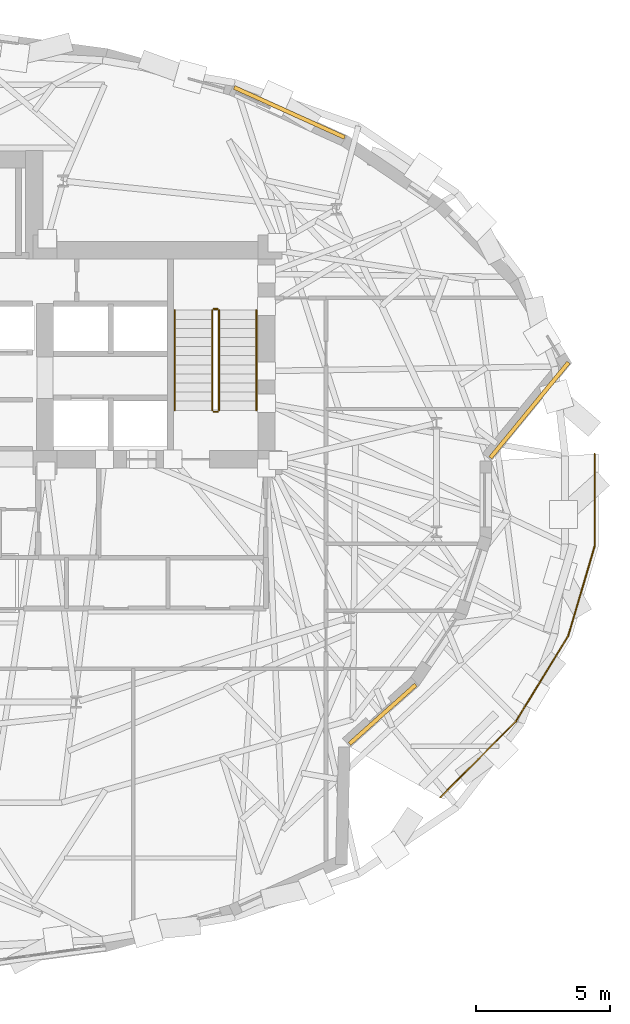
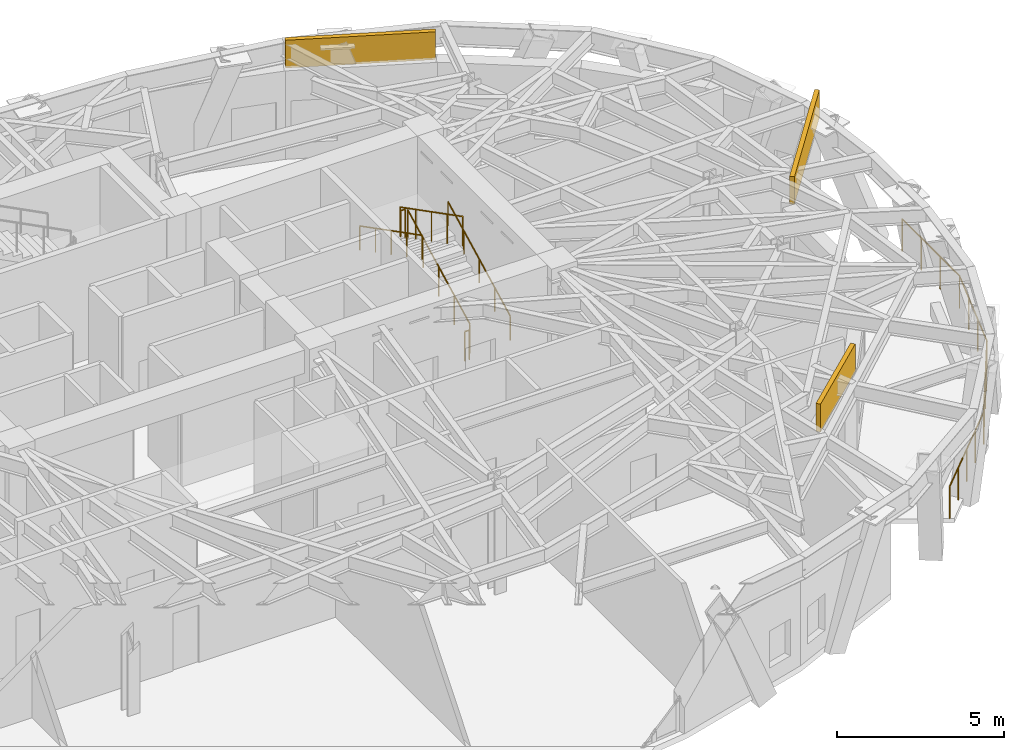
# One storey, part 15 of 16: 7 railings, 3 coverings.
"""IFC4 building model written with IfcOpenShell, lengths in metres."""

import ifcopenshell
import ifcopenshell.guid

model = None  # the IFC model being written
_history = None  # IfcOwnerHistory: only IFC2X3 demands one
_inside = {}  # id of a spatial element -> (the spatial element, [elements in it])
_under = {}  # id of a project, library or spatial element -> (it, [spatial elements below it])
_declared = {}  # id of a project -> (the project, [libraries it declares])
_typed = {}  # id of a type object -> (the type object, [elements of that type])
_made_of = {}  # id of a material, layer set ... -> (it, [elements and type objects made of it])


def new_model(schema):
    """Start an empty IFC model of exactly this schema.

    Asked for "IFC4X3", IfcOpenShell would pick the latest addendum, in which some entities
    have other attributes; the version numbers below select the first issue.
    IFC2X3 requires an IfcOwnerHistory on every rooted entity: one is made here for all.
    """
    global model, _history
    if schema == "IFC4X3":
        model = ifcopenshell.file(schema_version=(4, 3, 0, 0))
    else:
        model = ifcopenshell.file(schema=schema)
    _inside.clear()
    _under.clear()
    _declared.clear()
    _typed.clear()
    _made_of.clear()
    _history = None
    if model.schema == "IFC2X3":
        org = make("IfcOrganization", Name="unknown")
        user = make(
            "IfcPersonAndOrganization",
            ThePerson=make("IfcPerson", FamilyName="unknown"),
            TheOrganization=org,
        )
        app = make(
            "IfcApplication",
            ApplicationDeveloper=org,
            Version="unknown",
            ApplicationFullName="unknown",
            ApplicationIdentifier="unknown",
        )
        _history = make(
            "IfcOwnerHistory",
            OwningUser=user,
            OwningApplication=app,
            ChangeAction="ADDED",
            CreationDate=0,
        )
    return model


def make(cls, **values):
    """One entity of the class cls with the attributes given. An attribute that is None is left unset."""
    return model.create_entity(
        cls, **{name: value for name, value in values.items() if value is not None}
    )


def rooted(cls, **values):
    """An entity with a GlobalId (a new one), such as an element, a storey or a relation."""
    return make(cls, GlobalId=ifcopenshell.guid.new(), OwnerHistory=_history, **values)


def si_unit(unit_type, name, prefix=None):
    """IfcSIUnit, for example si_unit("LENGTHUNIT", "METRE", prefix="MILLI")."""
    return make("IfcSIUnit", UnitType=unit_type, Prefix=prefix, Name=name)


def assignment(units):
    """IfcUnitAssignment: the units of a project."""
    return None if units is None else make("IfcUnitAssignment", Units=units)


def point(xyz):
    """IfcCartesianPoint."""
    return None if xyz is None else make("IfcCartesianPoint", Coordinates=xyz)


def direction(xyz):
    """IfcDirection."""
    return None if xyz is None else make("IfcDirection", DirectionRatios=xyz)


def frame(location, z_axis=None, x_axis=None):
    """IfcAxis2Placement3D, a coordinate frame: its origin and axes. An axis left out is left unset."""
    return make(
        "IfcAxis2Placement3D",
        Location=point(location),
        Axis=direction(z_axis),
        RefDirection=direction(x_axis),
    )


def frame_2d(location, x_axis=None):
    """IfcAxis2Placement2D, a coordinate frame in the plane: its origin and x axis."""
    return make(
        "IfcAxis2Placement2D", Location=point(location), RefDirection=direction(x_axis)
    )


def origin():
    """The frame at (0, 0, 0) with its axes left unset."""
    return frame((0.0, 0.0, 0.0))


def origin_2d():
    """The frame at (0, 0) in the plane with its x axis left unset."""
    return frame_2d((0.0, 0.0))


def place(relative_to, where):
    """IfcLocalPlacement: puts the frame where relative to a parent placement (None: the world)."""
    return make(
        "IfcLocalPlacement", PlacementRelTo=relative_to, RelativePlacement=where
    )


def context(
    kind, dimensions, precision=None, world=None, true_north=None, identifier=None
):
    """IfcGeometricRepresentationContext, for example the 3D "Model" context."""
    return make(
        "IfcGeometricRepresentationContext",
        ContextIdentifier=identifier,
        ContextType=kind,
        CoordinateSpaceDimension=dimensions,
        Precision=precision,
        WorldCoordinateSystem=world,
        TrueNorth=true_north,
    )


def subcontext(parent, identifier, kind, view, scale=None):
    """IfcGeometricRepresentationSubContext, for example "Body" below "Model"."""
    return make(
        "IfcGeometricRepresentationSubContext",
        ContextIdentifier=identifier,
        ContextType=kind,
        ParentContext=parent,
        TargetScale=scale,
        TargetView=view,
    )


def project(units=None, contexts=None):
    """IfcProject with its units and contexts."""
    return rooted(
        "IfcProject",
        Name="project",
        RepresentationContexts=contexts,
        UnitsInContext=assignment(units),
    )


def spatial(cls, under=None, at=None, **own):
    """A site, building, storey or space (cls), placed at a placement, below another one or the project."""
    s = rooted(cls, ObjectPlacement=at, **own)
    if under is not None:
        _under.setdefault(under.id(), (under, []))[1].append(s)
    return s


def profile(cls, at=None, kind="AREA", **sizes):
    """A parametric profile (cls). Its sizes go by their IFC names, for example OverallWidth=200.0."""
    return make(cls, ProfileType=kind, Position=at, **sizes)


def rectangle(**sizes):
    """IfcRectangleProfileDef."""
    return profile("IfcRectangleProfileDef", **sizes)


def circle(**sizes):
    """IfcCircleProfileDef."""
    return profile("IfcCircleProfileDef", **sizes)


def extrude(swept, where, along, depth):
    """IfcExtrudedAreaSolid: the profile swept, set in the frame where, extruded along a direction by depth."""
    return make(
        "IfcExtrudedAreaSolid",
        SweptArea=swept,
        Position=where,
        ExtrudedDirection=direction(along),
        Depth=depth,
    )


def shape(context_of_items, identifier, shape_type, items):
    """IfcShapeRepresentation: the items that make up one representation, for example the "Body"."""
    return make(
        "IfcShapeRepresentation",
        ContextOfItems=context_of_items,
        RepresentationIdentifier=identifier,
        RepresentationType=shape_type,
        Items=items,
    )


def material(Name=None, Category=None):
    """IfcMaterial."""
    return make("IfcMaterial", Name=Name, Category=Category)


def layer(
    of_material, thickness, ventilated=None, Name=None, Category=None, Priority=None
):
    """IfcMaterialLayer: one layer of a wall or slab, of a material (None: an air gap)."""
    return make(
        "IfcMaterialLayer",
        Material=of_material,
        LayerThickness=thickness,
        IsVentilated=ventilated,
        Name=Name,
        Category=Category,
        Priority=Priority,
    )


def layer_set(layers, Name=None):
    """IfcMaterialLayerSet."""
    return make("IfcMaterialLayerSet", MaterialLayers=layers, LayerSetName=Name)


def made_of(thing, what):
    """Note that an element or type object is made of a material, layer set ...; save() writes the relation."""
    if what is not None:
        _made_of.setdefault(what.id(), (what, []))[1].append(thing)
    return thing


def type_object(cls, material=None, **own):
    """A type object (cls), such as IfcWallType, which elements share."""
    return made_of(rooted(cls, **own), material)


def element(
    cls,
    number,
    at=None,
    inside=None,
    cuts=None,
    type_object=None,
    material=None,
    context=None,
    identifier="Body",
    shape_type=None,
    held_by="IfcProductDefinitionShape",
    body=None,
    shapes=None,
    **own,
):
    """One element of the class cls, such as IfcWall. Its Tag is "e" and its number.

    at: its placement. inside: the storey or other place that contains it. cuts: it is an
    opening in that element (IfcRelVoidsElement). A single representation is given by context,
    identifier, shape_type and body (its items); several are given by shapes. held_by: the class
    of the entity that holds the representations. save() writes the other relations.
    """
    e = rooted(cls, Tag="e%d" % number, ObjectPlacement=at, **own)
    if body is not None:
        shapes = [shape(context, identifier, shape_type, body)]
    if shapes is not None:
        e.Representation = make(held_by, Representations=shapes)
    if inside is not None:
        _inside.setdefault(inside.id(), (inside, []))[1].append(e)
    if cuts is not None:
        rooted(
            "IfcRelVoidsElement", RelatingBuildingElement=cuts, RelatedOpeningElement=e
        )
    if type_object is not None:
        _typed.setdefault(type_object.id(), (type_object, []))[1].append(e)
    return made_of(e, material)


def aggregate(whole, parts):
    """IfcRelAggregates: a whole, such as a stair, and the parts it consists of."""
    return rooted("IfcRelAggregates", RelatingObject=whole, RelatedObjects=parts)


def save(model, path):
    """Write the relations noted so far, then the file.

    IfcRelAggregates (storeys below a building ...), IfcRelContainedInSpatialStructure (elements
    in a storey), IfcRelDefinesByType, IfcRelAssociatesMaterial and IfcRelDeclares: one each for
    every whole, place, type object, material and project.
    """
    for whole, parts in _under.values():
        aggregate(whole, parts)
    for where, things in _inside.values():
        rooted(
            "IfcRelContainedInSpatialStructure",
            RelatedElements=things,
            RelatingStructure=where,
        )
    for kind, things in _typed.values():
        rooted("IfcRelDefinesByType", RelatedObjects=things, RelatingType=kind)
    for what, things in _made_of.values():
        rooted("IfcRelAssociatesMaterial", RelatedObjects=things, RelatingMaterial=what)
    for by, libraries in _declared.values():
        rooted("IfcRelDeclares", RelatingContext=by, RelatedDefinitions=libraries)
    model.write(path)


model = new_model("IFC4")

# Units and contexts
model_context = context("Model", 3, precision=1e-05, world=origin(), true_north=direction((0.0, 1.0)))
body_context = subcontext(model_context, "Body", "Model", "MODEL_VIEW")
ifc_project = project(units=[si_unit("LENGTHUNIT", "METRE"), si_unit("AREAUNIT", "SQUARE_METRE"), si_unit("VOLUMEUNIT", "CUBIC_METRE"), si_unit("PLANEANGLEUNIT", "RADIAN"), si_unit("MASSUNIT", "GRAM", prefix="KILO")], contexts=[model_context])

# Site, building, storey
site_placement = place(None, origin())
site = spatial("IfcSite", under=ifc_project, at=site_placement, CompositionType="ELEMENT")
building_placement = place(site_placement, origin())
building = spatial("IfcBuilding", under=site, at=building_placement, Name="Keldmark Tower", CompositionType="ELEMENT")
storey_placement = place(building_placement, frame((0.0, 0.0, 139.60009765625)))
storey = spatial("IfcBuildingStorey", under=building, at=storey_placement, Name="L37", CompositionType="ELEMENT", Elevation=139.60009765625)

# Railing
ifc_material_1 = material(Name="DuPont SentryGlas Laminated Glass and Stainless Posts", Category="glass")
railing_type_1 = type_object("IfcRailingType", Name="Heated Laminated Glass Wind-Baffle Guard 1200 mm", PredefinedType="GUARDRAIL", material=ifc_material_1)
railing_1_placement = place(storey_placement, frame((19.975830078125, -11.110107421875, 0.0)))
element("IfcRailing", 1, at=railing_1_placement, inside=storey, type_object=railing_type_1, Name="L37 Terrace Laminated Glass Wind-Baffle Guard TERR 01", PredefinedType="GUARDRAIL", context=body_context, shape_type="SweptSolid", body=[
    extrude(circle(Radius=0.02392578125, at=origin_2d()), frame((0.0, 0.0, 1.17578125), z_axis=(0.703446565681, 0.71074814754, 0.0), x_axis=(-0.71074814754, 0.703446565681, 0.0)), (0.0, 0.0, 1.0), 4.012451171875),
    extrude(circle(Radius=0.02392578125, at=origin_2d()), frame((2.822509765625, 2.851806640625, 1.17578125), z_axis=(0.522789771372, 0.852461644269, 0.0), x_axis=(-0.852461644269, 0.522789771372, 0.0)), (0.0, 0.0, 1.0), 3.720458984375),
    extrude(circle(Radius=0.02392578125, at=origin_2d()), frame((4.767578125, 6.0234375, 1.17578125), z_axis=(0.282388380448, 0.959300162925, 0.0), x_axis=(-0.959300162925, 0.282388380448, 0.0)), (0.0, 0.0, 1.0), 3.51171875),
    extrude(circle(Radius=0.02392578125, at=origin_2d()), frame((5.75927734375, 9.392333984375, 1.17578125), z_axis=(0.0, 1.0, 0.0), x_axis=(-1.0, 0.0, 0.0)), (0.0, 0.0, 1.0), 3.435546875),
    extrude(circle(Radius=0.02099609375, at=origin_2d()), origin(), (0.0, 0.0, 1.0), 1.15185546875),
    extrude(circle(Radius=0.02099609375, at=origin_2d()), frame((0.70556640625, 0.712890625, 0.0)), (0.0, 0.0, 1.0), 1.15185546875),
    extrude(circle(Radius=0.02099609375, at=origin_2d()), frame((1.4111328125, 1.42578125, 0.0)), (0.0, 0.0, 1.0), 1.15185546875),
    extrude(circle(Radius=0.02099609375, at=origin_2d()), frame((2.116943359375, 2.138916015625, 0.0)), (0.0, 0.0, 1.0), 1.15185546875),
    extrude(circle(Radius=0.02099609375, at=origin_2d()), frame((2.822509765625, 2.851806640625, 0.0)), (0.0, 0.0, 1.0), 1.15185546875),
    extrude(circle(Radius=0.02099609375, at=origin_2d()), frame((3.308837890625, 3.644775390625, 0.0)), (0.0, 0.0, 1.0), 1.15185546875),
    extrude(circle(Radius=0.02099609375, at=origin_2d()), frame((3.794921875, 4.4375, 0.0)), (0.0, 0.0, 1.0), 1.15185546875),
    extrude(circle(Radius=0.02099609375, at=origin_2d()), frame((4.28125, 5.23046875, 0.0)), (0.0, 0.0, 1.0), 1.15185546875),
    extrude(circle(Radius=0.02099609375, at=origin_2d()), frame((4.767578125, 6.0234375, 0.0)), (0.0, 0.0, 1.0), 1.15185546875),
    extrude(circle(Radius=0.02099609375, at=origin_2d()), frame((5.09814453125, 7.146484375, 0.0)), (0.0, 0.0, 1.0), 1.15185546875),
    extrude(circle(Radius=0.02099609375, at=origin_2d()), frame((5.4287109375, 8.269287109375, 0.0)), (0.0, 0.0, 1.0), 1.15185546875),
    extrude(circle(Radius=0.02099609375, at=origin_2d()), frame((5.75927734375, 9.392333984375, 0.0)), (0.0, 0.0, 1.0), 1.15185546875),
    extrude(circle(Radius=0.02099609375, at=origin_2d()), frame((5.75927734375, 10.53759765625, 0.0)), (0.0, 0.0, 1.0), 1.15185546875),
    extrude(circle(Radius=0.02099609375, at=origin_2d()), frame((5.75927734375, 11.6826171875, 0.0)), (0.0, 0.0, 1.0), 1.15185546875),
    extrude(circle(Radius=0.02099609375, at=origin_2d()), frame((5.75927734375, 12.827880859375, 0.0)), (0.0, 0.0, 1.0), 1.15185546875),
])

# Coverings
ifc_material_2 = material(Name="Honed Kasota Buff Dolomitic Limestone", Category="masonry")
ifc_layer = layer(ifc_material_2, 0.074951171875)
ifc_layer_set = layer_set([ifc_layer], Name="Honed Kasota Buff Dolomitic Limestone")
covering_type = type_object("IfcCoveringType", Name="Kasota Buff Limestone Spandrel Cladding Band", PredefinedType="CLADDING", material=ifc_layer_set)
covering_1_placement = place(storey_placement, frame((23.297119140625, 3.357421875, 3.161865234375), z_axis=(0.0, 0.0, 1.0), x_axis=(0.634123413968, 0.773231851295, 0.0)))
element("IfcCovering", 2, at=covering_1_placement, inside=storey, type_object=covering_type, Name="L37 Kasota Limestone Spandrel Band 01", PredefinedType="CLADDING", context=body_context, shape_type="SweptSolid", body=[
    extrude(rectangle(XDim=4.605712890625, YDim=0.14990234375, at=origin_2d()), origin(), (0.0, 0.0, 1.0), 1.01806640625),
])
covering_2_placement = place(storey_placement, frame((14.329833984375, 14.479736328125, 3.161865234375), z_axis=(0.0, 0.0, 1.0), x_axis=(-0.910950242101, 0.412516249881, 0.0)))
element("IfcCovering", 3, at=covering_2_placement, inside=storey, type_object=covering_type, Name="L37 Kasota Limestone Spandrel Band 05", PredefinedType="CLADDING", context=body_context, shape_type="SweptSolid", body=[
    extrude(rectangle(XDim=4.5322265625, YDim=0.14990234375, at=origin_2d()), origin(), (0.0, 0.0, 1.0), 1.01806640625),
])
covering_3_placement = place(storey_placement, frame((17.8125, -8.006591796875, 3.161865234375), z_axis=(0.0, 0.0, 1.0), x_axis=(0.746138722286, 0.665790512928, 0.0)))
element("IfcCovering", 4, at=covering_3_placement, inside=storey, type_object=covering_type, Name="L37 Kasota Limestone Spandrel Band 29", PredefinedType="CLADDING", context=body_context, shape_type="SweptSolid", body=[
    extrude(rectangle(XDim=3.319580078125, YDim=0.14990234375, at=origin_2d()), origin(), (0.0, 0.0, 1.0), 1.01806640625),
])

# Railings
ifc_material_3 = material(Name="Painted Steel ASTM A500 Grade B", Category="steel")
railing_type_2 = type_object("IfcRailingType", Name="Painted Steel Stair Well Guard 1100 mm", PredefinedType="GUARDRAIL", material=ifc_material_3)
railing_2_placement = place(storey_placement, frame((11.699951171875, 3.35009765625, 0.1748046875)))
element("IfcRailing", 5, at=railing_2_placement, inside=storey, type_object=railing_type_2, Name="L37 ST2 stair guard 1", PredefinedType="GUARDRAIL", context=body_context, shape_type="SweptSolid", body=[
    extrude(circle(Radius=0.02392578125, at=origin_2d()), frame((0.0, 0.0, 1.076171875), z_axis=(0.0, 0.889130600629, 0.457653553493), x_axis=(-1.0, 0.0, 0.0)), (0.0, 0.0, 1.0), 4.206298828125),
    extrude(circle(Radius=0.02099609375, at=origin_2d()), origin(), (0.0, 0.0, 1.0), 1.052001953125),
    extrude(circle(Radius=0.02099609375, at=origin_2d()), frame((0.0, 0.93505859375, 0.481201171875)), (0.0, 0.0, 1.0), 1.052001953125),
    extrude(circle(Radius=0.02099609375, at=origin_2d()), frame((0.0, 1.8701171875, 0.96240234375)), (0.0, 0.0, 1.0), 1.052001953125),
    extrude(circle(Radius=0.02099609375, at=origin_2d()), frame((0.0, 2.804931640625, 1.44384765625)), (0.0, 0.0, 1.0), 1.052001953125),
    extrude(circle(Radius=0.02099609375, at=origin_2d()), frame((0.0, 3.739990234375, 1.925048828125)), (0.0, 0.0, 1.0), 1.052001953125),
])
railing_3_placement = place(storey_placement, frame((11.64990234375, 7.139892578125, 2.099853515625)))
element("IfcRailing", 6, at=railing_3_placement, inside=storey, type_object=railing_type_2, Name="L37 ST2 stair guard 2", PredefinedType="GUARDRAIL", context=body_context, shape_type="SweptSolid", body=[
    extrude(circle(Radius=0.02392578125, at=origin_2d()), frame((0.0, 0.0, 1.076171875), z_axis=(-1.0, 0.0, 0.0), x_axis=(0.0, -1.0, 0.0)), (0.0, 0.0, 1.0), 0.14990234375),
    extrude(circle(Radius=0.02099609375, at=origin_2d()), origin(), (0.0, 0.0, 1.0), 1.052001953125),
    extrude(circle(Radius=0.02099609375, at=origin_2d()), frame((-0.14990234375, 0.0, 0.0)), (0.0, 0.0, 1.0), 1.052001953125),
])
railing_4_placement = place(storey_placement, frame((11.449951171875, 7.090087890625, 2.27490234375)))
element("IfcRailing", 7, at=railing_4_placement, inside=storey, type_object=railing_type_2, Name="L37 ST2 stair guard 3", PredefinedType="GUARDRAIL", context=body_context, shape_type="SweptSolid", body=[
    extrude(circle(Radius=0.02392578125, at=origin_2d()), frame((0.0, 0.0, 1.076171875), z_axis=(0.0, -0.889130600629, 0.457653553493), x_axis=(1.0, 0.0, 0.0)), (0.0, 0.0, 1.0), 4.206298828125),
    extrude(circle(Radius=0.02099609375, at=origin_2d()), origin(), (0.0, 0.0, 1.0), 1.052001953125),
    extrude(circle(Radius=0.02099609375, at=origin_2d()), frame((0.0, -0.93505859375, 0.481201171875)), (0.0, 0.0, 1.0), 1.052001953125),
    extrude(circle(Radius=0.02099609375, at=origin_2d()), frame((0.0, -1.8701171875, 0.96240234375)), (0.0, 0.0, 1.0), 1.052001953125),
    extrude(circle(Radius=0.02099609375, at=origin_2d()), frame((0.0, -2.804931640625, 1.44384765625)), (0.0, 0.0, 1.0), 1.052001953125),
    extrude(circle(Radius=0.02099609375, at=origin_2d()), frame((0.0, -3.739990234375, 1.925048828125)), (0.0, 0.0, 1.0), 1.052001953125),
])
railing_5_placement = place(storey_placement, frame((11.64990234375, 3.300048828125, 0.0)))
element("IfcRailing", 8, at=railing_5_placement, inside=storey, type_object=railing_type_2, Name="L37 ST2 stair guard 4", PredefinedType="GUARDRAIL", context=body_context, shape_type="SweptSolid", body=[
    extrude(circle(Radius=0.02392578125, at=origin_2d()), frame((0.0, 0.0, 1.076171875), z_axis=(-1.0, 0.0, 0.0), x_axis=(0.0, -1.0, 0.0)), (0.0, 0.0, 1.0), 0.14990234375),
    extrude(circle(Radius=0.02099609375, at=origin_2d()), origin(), (0.0, 0.0, 1.0), 1.052001953125),
    extrude(circle(Radius=0.02099609375, at=origin_2d()), frame((-0.14990234375, 0.0, 0.0)), (0.0, 0.0, 1.0), 1.052001953125),
])
ifc_material_4 = material(Name="Stainless Steel AISI 316L", Category="steel")
railing_type_3 = type_object("IfcRailingType", Name="Stainless Steel Stair Handrail 900 mm", PredefinedType="HANDRAIL", material=ifc_material_4)
railing_6_placement = place(storey_placement, frame((13.10009765625, 3.35009765625, 0.1748046875)))
element("IfcRailing", 9, at=railing_6_placement, inside=storey, type_object=railing_type_3, Name="L37 ST2 stair handrail 1", PredefinedType="HANDRAIL", context=body_context, shape_type="SweptSolid", body=[
    extrude(circle(Radius=0.02392578125, at=origin_2d()), frame((0.0, 0.0, 0.8759765625), z_axis=(0.0, 0.889130600629, 0.457653553493), x_axis=(-1.0, 0.0, 0.0)), (0.0, 0.0, 1.0), 4.206298828125),
    extrude(circle(Radius=0.02099609375, at=origin_2d()), origin(), (0.0, 0.0, 1.0), 0.851806640625),
    extrude(circle(Radius=0.02099609375, at=origin_2d()), frame((0.0, 0.93505859375, 0.481201171875)), (0.0, 0.0, 1.0), 0.851806640625),
    extrude(circle(Radius=0.02099609375, at=origin_2d()), frame((0.0, 1.8701171875, 0.96240234375)), (0.0, 0.0, 1.0), 0.851806640625),
    extrude(circle(Radius=0.02099609375, at=origin_2d()), frame((0.0, 2.804931640625, 1.44384765625)), (0.0, 0.0, 1.0), 0.851806640625),
    extrude(circle(Radius=0.02099609375, at=origin_2d()), frame((0.0, 3.739990234375, 1.925048828125)), (0.0, 0.0, 1.0), 0.851806640625),
])
railing_7_placement = place(storey_placement, frame((10.050048828125, 7.090087890625, 2.27490234375)))
element("IfcRailing", 10, at=railing_7_placement, inside=storey, type_object=railing_type_3, Name="L37 ST2 stair handrail 2", PredefinedType="HANDRAIL", context=body_context, shape_type="SweptSolid", body=[
    extrude(circle(Radius=0.02392578125, at=origin_2d()), frame((0.0, 0.0, 0.8759765625), z_axis=(0.0, -0.889130600629, 0.457653553493), x_axis=(1.0, 0.0, 0.0)), (0.0, 0.0, 1.0), 4.206298828125),
    extrude(circle(Radius=0.02099609375, at=origin_2d()), origin(), (0.0, 0.0, 1.0), 0.851806640625),
    extrude(circle(Radius=0.02099609375, at=origin_2d()), frame((0.0, -0.93505859375, 0.481201171875)), (0.0, 0.0, 1.0), 0.851806640625),
    extrude(circle(Radius=0.02099609375, at=origin_2d()), frame((0.0, -1.8701171875, 0.96240234375)), (0.0, 0.0, 1.0), 0.851806640625),
    extrude(circle(Radius=0.02099609375, at=origin_2d()), frame((0.0, -2.804931640625, 1.44384765625)), (0.0, 0.0, 1.0), 0.851806640625),
    extrude(circle(Radius=0.02099609375, at=origin_2d()), frame((0.0, -3.739990234375, 1.925048828125)), (0.0, 0.0, 1.0), 0.851806640625),
])

save(model, "model.ifc")
